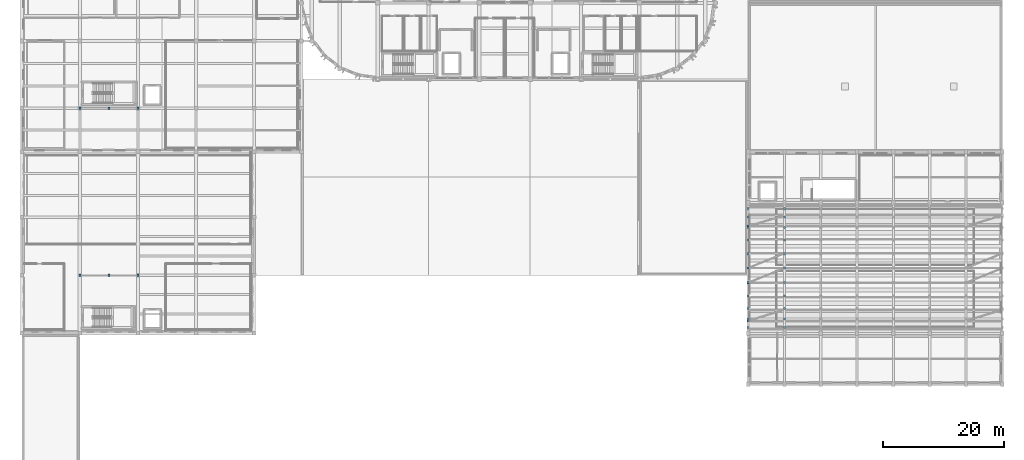
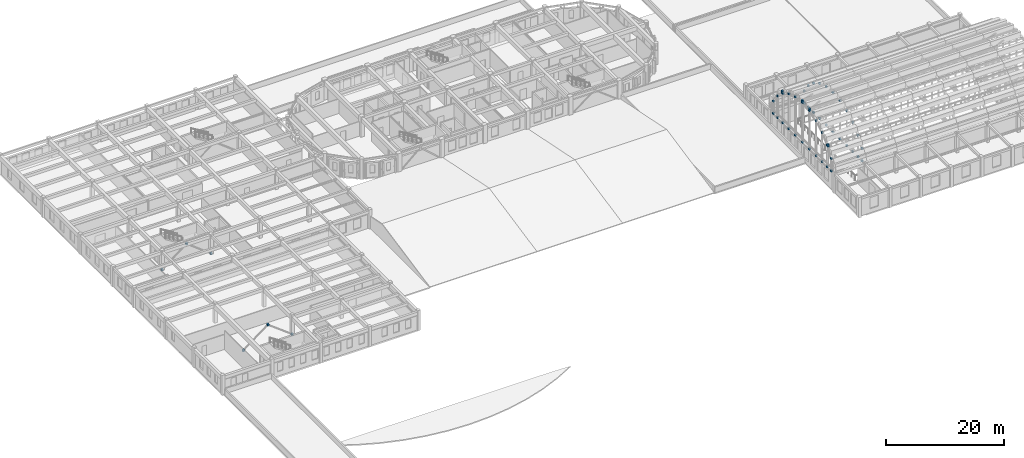
# One storey, part 30 of 46: 54 discrete accessories.
"""IFC4 building model written with IfcOpenShell, lengths in metres."""

from ifc_helpers import new_model, si_unit, direction, frame, origin, origin_2d, place, context, subcontext, project, spatial, rectangle, extrude, material, type_object, element, save


model = new_model("IFC4")

# Units and contexts
model_context = context("Model", 3, precision=1e-05, world=origin(), true_north=direction((0.0, 1.0)))
body_context = subcontext(model_context, "Body", "Model", "MODEL_VIEW")
ifc_project = project(units=[si_unit("LENGTHUNIT", "METRE"), si_unit("AREAUNIT", "SQUARE_METRE"), si_unit("VOLUMEUNIT", "CUBIC_METRE"), si_unit("PLANEANGLEUNIT", "RADIAN"), si_unit("MASSUNIT", "GRAM", prefix="KILO")], contexts=[model_context])

# Site, building, storey
site_placement = place(None, origin())
site = spatial("IfcSite", under=ifc_project, at=site_placement, CompositionType="ELEMENT")
building_placement = place(site_placement, origin())
building = spatial("IfcBuilding", under=site, at=building_placement, Name="Tarnavel Promenade Courthouse", CompositionType="ELEMENT")
storey_placement = place(building_placement, frame((0.0, 0.0, 14.39990234375)))
storey = spatial("IfcBuildingStorey", under=building, at=storey_placement, Name="L04", CompositionType="ELEMENT", Elevation=14.39990234375)

# Discrete accessories
ifc_material = material(Name="Steel S355J2", Category="steel")
discrete_accessory_type = type_object("IfcDiscreteAccessoryType", Name="Steel S355J2 Structural Connection Bracket", PredefinedType="BRACKET", material=ifc_material)
for number, where, z_axis, x_axis, name in (
    (1, (9.60009765625, 74.39990234375, -0.18994140625), (0.0, 0.0, 1.0), (1.0, 0.0, 0.0), "L04 V2 Chevron Brace Gusset Node 032-L"),
    (2, (14.39990234375, 74.39990234375, 3.51513671875), (0.0, 0.0, 1.0), (1.0, 0.0, 0.0), "L04 V2 Chevron Brace Gusset Node 032-M"),
    (3, (19.199951171875, 74.39990234375, -0.18994140625), (0.0, 0.0, 1.0), (1.0, 0.0, 0.0), "L04 V2 Chevron Brace Gusset Node 032-R"),
    (4, (9.60009765625, 46.800048828125, -0.18994140625), (0.0, 0.0, 1.0), (1.0, 0.0, 0.0), "L04 V3 Chevron Brace Gusset Node 046-L"),
    (5, (14.39990234375, 46.800048828125, 3.455078125), (0.0, 0.0, 1.0), (1.0, 0.0, 0.0), "L04 V3 Chevron Brace Gusset Node 046-M"),
    (6, (19.199951171875, 46.800048828125, -0.18994140625), (0.0, 0.0, 1.0), (1.0, 0.0, 0.0), "L04 V3 Chevron Brace Gusset Node 046-R"),
):
    element("IfcDiscreteAccessory", number, at=place(storey_placement, frame(where, z_axis=z_axis, x_axis=x_axis)), inside=storey, type_object=discrete_accessory_type, Name=name, PredefinedType="BRACKET", context=body_context, shape_type="SweptSolid", body=[
        extrude(rectangle(XDim=0.3798828125, YDim=0.360107421875, at=origin_2d()), origin(), (0.0, 0.0, 1.0), 0.3798828125),
    ])
for number, where, z_axis, x_axis, name in (
    (7, (120.0, 38.1650390625, 3.64990234375), (0.0, 0.0, 1.0), (1.0, 0.0, 0.0), "V1 Vault Web Strut Node 01-01-B"),
    (8, (120.0, 38.1650390625, 6.19970703125), (0.0, 0.0, 1.0), (1.0, 0.0, 0.0), "V1 Vault Web Strut Node 01-01-T"),
    (9, (120.0, 39.56005859375, 3.64990234375), (0.0, 0.0, 1.0), (1.0, 0.0, 0.0), "V1 Vault Web Strut Node 01-02-B"),
    (10, (120.0, 39.56005859375, 8.12109375), (0.0, 0.0, 1.0), (1.0, 0.0, 0.0), "V1 Vault Web Strut Node 01-02-T"),
    (11, (120.0, 41.32421875, 3.64990234375), (0.0, 0.0, 1.0), (1.0, 0.0, 0.0), "V1 Vault Web Strut Node 01-03-B"),
    (12, (120.0, 41.32421875, 9.71044921875), (0.0, 0.0, 1.0), (1.0, 0.0, 0.0), "V1 Vault Web Strut Node 01-03-T"),
    (13, (120.0, 43.38037109375, 3.64990234375), (0.0, 0.0, 1.0), (1.0, 0.0, 0.0), "V1 Vault Web Strut Node 01-04-B"),
    (14, (120.0, 43.38037109375, 10.89794921875), (0.0, 0.0, 1.0), (1.0, 0.0, 0.0), "V1 Vault Web Strut Node 01-04-T"),
    (15, (120.0, 45.638671875, 3.64990234375), (0.0, 0.0, 1.0), (1.0, 0.0, 0.0), "V1 Vault Web Strut Node 01-05-B"),
    (16, (120.0, 45.638671875, 11.6318359375), (0.0, 0.0, 1.0), (1.0, 0.0, 0.0), "V1 Vault Web Strut Node 01-05-T"),
    (17, (120.0, 48.0, 3.64990234375), (0.0, 0.0, 1.0), (1.0, 0.0, 0.0), "V1 Vault Web Strut Node 01-06-B"),
    (18, (120.0, 48.0, 11.8798828125), (0.0, 0.0, 1.0), (1.0, 0.0, 0.0), "V1 Vault Web Strut Node 01-06-T"),
    (19, (120.0, 50.361328125, 3.64990234375), (0.0, 0.0, 1.0), (1.0, 0.0, 0.0), "V1 Vault Web Strut Node 01-07-B"),
    (20, (120.0, 50.361328125, 11.6318359375), (0.0, 0.0, 1.0), (1.0, 0.0, 0.0), "V1 Vault Web Strut Node 01-07-T"),
    (21, (120.0, 52.61962890625, 3.64990234375), (0.0, 0.0, 1.0), (1.0, 0.0, 0.0), "V1 Vault Web Strut Node 01-08-B"),
    (22, (120.0, 52.61962890625, 10.89794921875), (0.0, 0.0, 1.0), (1.0, 0.0, 0.0), "V1 Vault Web Strut Node 01-08-T"),
    (23, (120.0, 54.67578125, 3.64990234375), (0.0, 0.0, 1.0), (1.0, 0.0, 0.0), "V1 Vault Web Strut Node 01-09-B"),
    (24, (120.0, 54.67578125, 9.71044921875), (0.0, 0.0, 1.0), (1.0, 0.0, 0.0), "V1 Vault Web Strut Node 01-09-T"),
    (25, (120.0, 56.43994140625, 3.64990234375), (0.0, 0.0, 1.0), (1.0, 0.0, 0.0), "V1 Vault Web Strut Node 01-10-B"),
    (26, (120.0, 56.43994140625, 8.12109375), (0.0, 0.0, 1.0), (1.0, 0.0, 0.0), "V1 Vault Web Strut Node 01-10-T"),
    (27, (120.0, 57.8349609375, 3.64990234375), (0.0, 0.0, 1.0), (1.0, 0.0, 0.0), "V1 Vault Web Strut Node 01-11-B"),
    (28, (120.0, 57.8349609375, 6.19970703125), (0.0, 0.0, 1.0), (1.0, 0.0, 0.0), "V1 Vault Web Strut Node 01-11-T"),
    (29, (126.0, 38.1650390625, 3.64990234375), (0.0, 0.0, 1.0), (1.0, 0.0, 0.0), "V1 Vault Web Strut Node 02-01-B"),
    (30, (126.0, 38.1650390625, 6.19970703125), (0.0, 0.0, 1.0), (1.0, 0.0, 0.0), "V1 Vault Web Strut Node 02-01-T"),
    (31, (126.0, 39.56005859375, 3.64990234375), (0.0, 0.0, 1.0), (1.0, 0.0, 0.0), "V1 Vault Web Strut Node 02-02-B"),
    (32, (126.0, 39.56005859375, 8.12109375), (0.0, 0.0, 1.0), (1.0, 0.0, 0.0), "V1 Vault Web Strut Node 02-02-T"),
    (33, (126.0, 41.32421875, 3.64990234375), (0.0, 0.0, 1.0), (1.0, 0.0, 0.0), "V1 Vault Web Strut Node 02-03-B"),
    (34, (126.0, 41.32421875, 9.71044921875), (0.0, 0.0, 1.0), (1.0, 0.0, 0.0), "V1 Vault Web Strut Node 02-03-T"),
    (35, (126.0, 43.38037109375, 3.64990234375), (0.0, 0.0, 1.0), (1.0, 0.0, 0.0), "V1 Vault Web Strut Node 02-04-B"),
    (36, (126.0, 43.38037109375, 10.89794921875), (0.0, 0.0, 1.0), (1.0, 0.0, 0.0), "V1 Vault Web Strut Node 02-04-T"),
    (37, (126.0, 45.638671875, 3.64990234375), (0.0, 0.0, 1.0), (1.0, 0.0, 0.0), "V1 Vault Web Strut Node 02-05-B"),
    (38, (126.0, 45.638671875, 11.6318359375), (0.0, 0.0, 1.0), (1.0, 0.0, 0.0), "V1 Vault Web Strut Node 02-05-T"),
    (39, (126.0, 48.0, 3.64990234375), (0.0, 0.0, 1.0), (1.0, 0.0, 0.0), "V1 Vault Web Strut Node 02-06-B"),
    (40, (126.0, 48.0, 11.8798828125), (0.0, 0.0, 1.0), (1.0, 0.0, 0.0), "V1 Vault Web Strut Node 02-06-T"),
    (41, (126.0, 50.361328125, 3.64990234375), (0.0, 0.0, 1.0), (1.0, 0.0, 0.0), "V1 Vault Web Strut Node 02-07-B"),
    (42, (126.0, 50.361328125, 11.6318359375), (0.0, 0.0, 1.0), (1.0, 0.0, 0.0), "V1 Vault Web Strut Node 02-07-T"),
    (43, (126.0, 52.61962890625, 3.64990234375), (0.0, 0.0, 1.0), (1.0, 0.0, 0.0), "V1 Vault Web Strut Node 02-08-B"),
    (44, (126.0, 52.61962890625, 10.89794921875), (0.0, 0.0, 1.0), (1.0, 0.0, 0.0), "V1 Vault Web Strut Node 02-08-T"),
    (45, (126.0, 54.67578125, 3.64990234375), (0.0, 0.0, 1.0), (1.0, 0.0, 0.0), "V1 Vault Web Strut Node 02-09-B"),
    (46, (126.0, 54.67578125, 9.71044921875), (0.0, 0.0, 1.0), (1.0, 0.0, 0.0), "V1 Vault Web Strut Node 02-09-T"),
    (47, (126.0, 56.43994140625, 3.64990234375), (0.0, 0.0, 1.0), (1.0, 0.0, 0.0), "V1 Vault Web Strut Node 02-10-B"),
    (48, (126.0, 56.43994140625, 8.12109375), (0.0, 0.0, 1.0), (1.0, 0.0, 0.0), "V1 Vault Web Strut Node 02-10-T"),
    (49, (126.0, 57.8349609375, 3.64990234375), (0.0, 0.0, 1.0), (1.0, 0.0, 0.0), "V1 Vault Web Strut Node 02-11-B"),
    (50, (126.0, 57.8349609375, 6.19970703125), (0.0, 0.0, 1.0), (1.0, 0.0, 0.0), "V1 Vault Web Strut Node 02-11-T"),
):
    element("IfcDiscreteAccessory", number, at=place(storey_placement, frame(where, z_axis=z_axis, x_axis=x_axis)), inside=storey, type_object=discrete_accessory_type, Name=name, PredefinedType="BRACKET", context=body_context, shape_type="SweptSolid", body=[
        extrude(rectangle(XDim=0.340087890625, YDim=0.340087890625, at=origin_2d()), origin(), (0.0, 0.0, 1.0), 0.340087890625),
    ])
for number, where, z_axis, x_axis, name in (
    (51, (120.0, 39.284912109375, 8.138427734375), (0.0, 0.0, 1.0), (1.0, 0.0, 0.0), "V1 Vault Gable Brace Cap Node 01-02"),
    (52, (120.0, 45.5615234375, 11.763671875), (0.0, 0.0, 1.0), (1.0, 0.0, 0.0), "V1 Vault Gable Brace Cap Node 01-05"),
    (53, (120.0, 48.0, 12.02001953125), (0.0, 0.0, 1.0), (1.0, 0.0, 0.0), "V1 Vault Gable Brace Cap Node 01-06"),
    (54, (120.0, 54.893310546875, 9.779541015625), (0.0, 0.0, 1.0), (1.0, 0.0, 0.0), "V1 Vault Gable Brace Cap Node 01-09"),
):
    element("IfcDiscreteAccessory", number, at=place(storey_placement, frame(where, z_axis=z_axis, x_axis=x_axis)), inside=storey, type_object=discrete_accessory_type, Name=name, PredefinedType="BRACKET", context=body_context, shape_type="SweptSolid", body=[
        extrude(rectangle(XDim=0.360107421875, YDim=0.360107421875, at=origin_2d()), origin(), (0.0, 0.0, 1.0), 0.56005859375),
    ])

save(model, "model.ifc")
